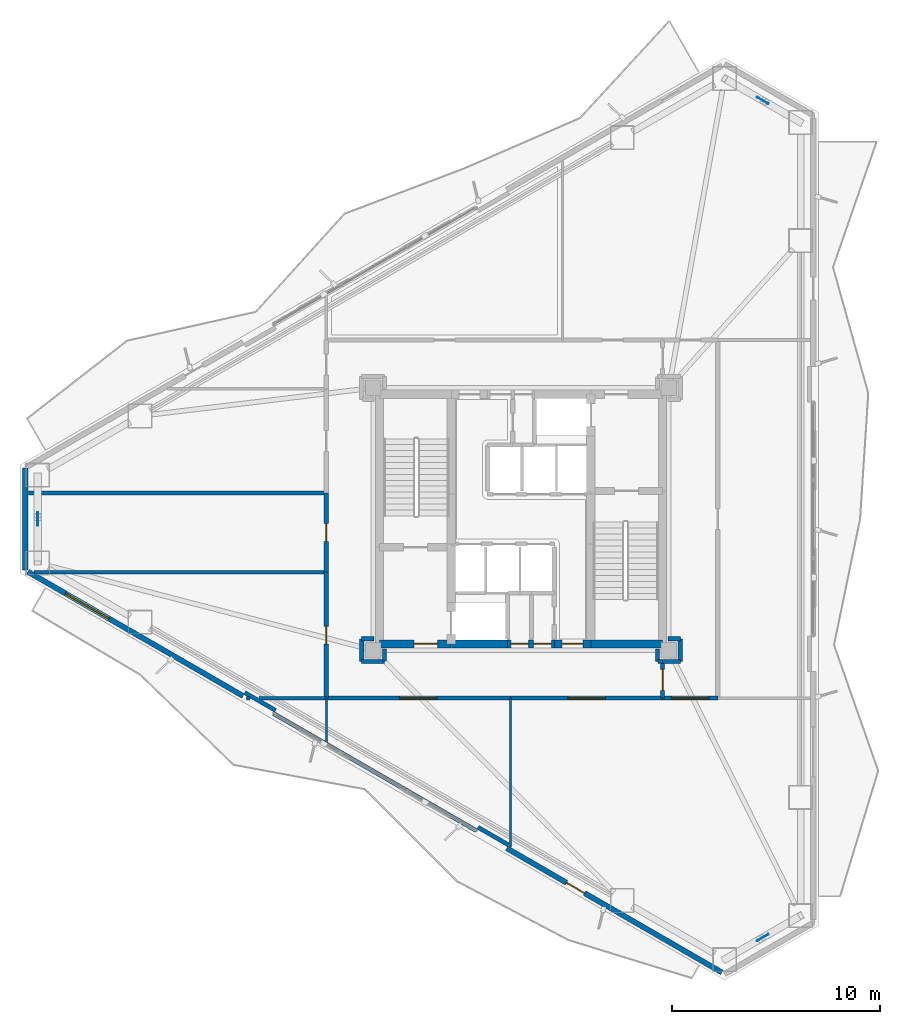
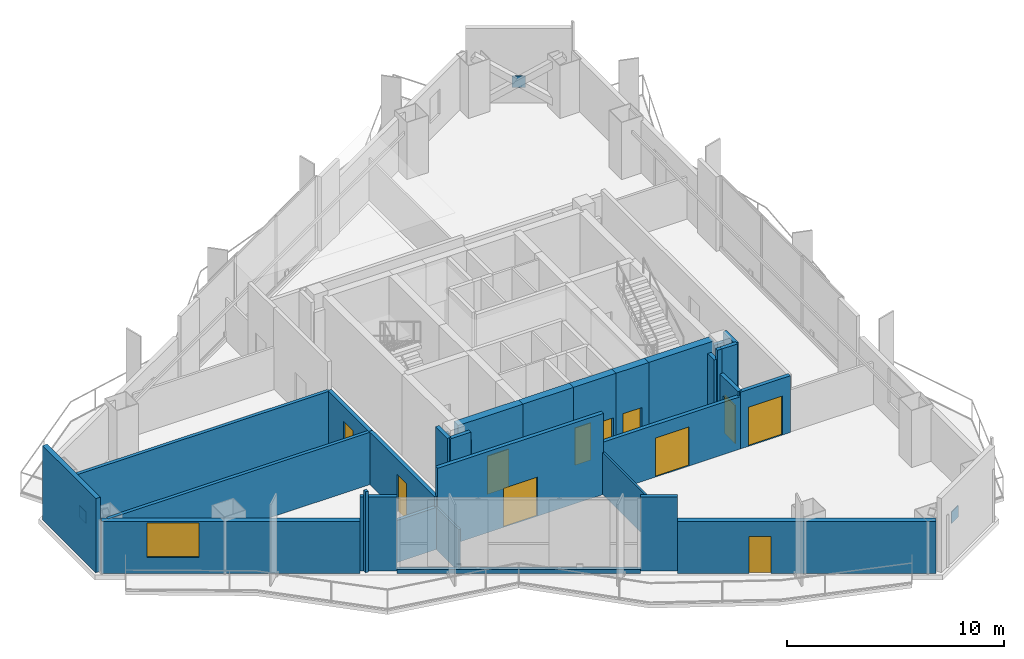
# One storey, part 14 of 20: 32 walls, 11 doors, 3 plates, 1 window, 12 openings.
"""IFC4 building model written with IfcOpenShell, lengths in metres."""

from ifc_helpers import new_model, si_unit, direction, frame, frame_2d, origin, origin_2d, place, context, subcontext, project, spatial, rectangle, extrude, material, layer, layer_set, type_object, element, fill, save


model = new_model("IFC4")

# Units and contexts
model_context = context("Model", 3, precision=1e-05, world=origin(), true_north=direction((0.0, 1.0)))
body_context = subcontext(model_context, "Body", "Model", "MODEL_VIEW")
ifc_project = project(units=[si_unit("LENGTHUNIT", "METRE"), si_unit("AREAUNIT", "SQUARE_METRE"), si_unit("VOLUMEUNIT", "CUBIC_METRE"), si_unit("PLANEANGLEUNIT", "RADIAN"), si_unit("MASSUNIT", "GRAM", prefix="KILO")], contexts=[model_context])

# Site, building, storey
site_placement = place(None, origin())
site = spatial("IfcSite", under=ifc_project, at=site_placement, CompositionType="ELEMENT")
building_placement = place(site_placement, origin())
building = spatial("IfcBuilding", under=site, at=building_placement, Name="Mersakhor Tower and Convention Hall", CompositionType="ELEMENT")
storey_placement = place(building_placement, frame((0.0, 0.0, 116.39990234375)))
storey = spatial("IfcBuildingStorey", under=building, at=storey_placement, Name="L32", CompositionType="ELEMENT", Elevation=116.39990234375)

# Plates
ifc_material_1 = material(Name="Steel S460", Category="steel")
ifc_layer_1 = layer(ifc_material_1, 0.0400390625)
ifc_layer_set_1 = layer_set([ifc_layer_1], Name="Steel S460")
plate_type = type_object("IfcPlateType", Name="PL-GUSSET-40", PredefinedType="SHEET", material=ifc_layer_set_1)
for number, where, z_axis, x_axis, name in (
    (1, (40.606689453125, 46.853515625, 1.22509765625), (0.0, 0.0, 1.0), (-0.866025403784, 0.5, 0.0), "L32 X-Brace Crossing Gusset Node Plate"),
    (2, (40.606689453125, 6.646728515625, 1.22509765625), (0.0, 0.0, 1.0), (0.866025403784, 0.5, 0.0), "L32 X-Brace Crossing Gusset Node Plate"),
    (3, (5.78662109375, 26.75, 1.22509765625), (0.0, 0.0, 1.0), (0.0, -1.0, 0.0), "L32 X-Brace Crossing Gusset Node Plate"),
):
    element("IfcPlate", number, at=place(storey_placement, frame(where, z_axis=z_axis, x_axis=x_axis)), inside=storey, type_object=plate_type, Name=name, PredefinedType="SHEET", context=body_context, shape_type="SweptSolid", body=[
        extrude(rectangle(XDim=0.639892578125, YDim=0.0400390625, at=origin_2d()), origin(), (0.0, 0.0, 1.0), 0.639892578125),
    ])

# Wall
ifc_material_2 = material(Name="Precast concrete C40/50", Category="concrete")
ifc_layer_2 = layer(ifc_material_2, 0.25)
ifc_layer_set_2 = layer_set([ifc_layer_2], Name="Precast concrete C40/50")
wall_type_1 = type_object("IfcWallType", Name="WL-EXT-250", PredefinedType="SOLIDWALL", material=ifc_layer_set_2)
wall_1_placement = place(storey_placement, frame((5.186767578125, 24.292724609375, 0.0), z_axis=(0.0, 0.0, 1.0), x_axis=(0.0, 1.0, 0.0)))
element("IfcWall", 4, at=wall_1_placement, inside=storey, type_object=wall_type_1, Name="L32 Chamfer Braced Spandrel Wall C3", PredefinedType="SOLIDWALL", context=body_context, shape_type="SweptSolid", body=[
    extrude(rectangle(XDim=4.91455078125, YDim=0.25, at=frame_2d((2.457275390625, 0.0))), origin(), (0.0, 0.0, 1.0), 4.18017578125),
])

# Wall, opening, door
wall_2_placement = place(storey_placement, frame((38.648681640625, 4.973388671875, 0.0), z_axis=(0.0, 0.0, 1.0), x_axis=(-0.866023023012, 0.500004123596, 0.0)))
wall_2 = element("IfcWall", 5, at=wall_2_placement, inside=storey, type_object=wall_type_1, Name="L32 Exterior Facade Wall F3-B1", PredefinedType="SOLIDWALL", context=body_context, shape_type="SweptSolid", body=[
    extrude(rectangle(XDim=11.9296875, YDim=0.25, at=frame_2d((5.96484375, 0.0))), origin(), (0.0, 0.0, 1.0), 2.945068359375),
])
opening_1_placement = place(wall_2_placement, frame((7.615966796875, 0.0, 0.0)))
opening_1 = element("IfcOpeningElement", 6, at=opening_1_placement, cuts=wall_2, Name="Opening BD-01", PredefinedType="OPENING", context=body_context, shape_type="SweptSolid", body=[
    extrude(rectangle(XDim=1.0, YDim=2.10009765625, at=frame_2d((0.5, 1.050048828125))), frame((0.0, 0.135009765625, 0.0), z_axis=(0.0, -1.0, 0.0), x_axis=(1.0, 0.0, 0.0)), (0.0, 0.0, 1.0), 0.27001953125),
])
ifc_material_3 = material(Name="Thermally broken dark aluminium and safety glass", Category="aluminium")
door_type_1 = type_object("IfcDoorType", Name="DR-BAL-100x210", OperationType="NOTDEFINED", PredefinedType="DOOR", material=ifc_material_3)
door_1_placement = place(opening_1_placement, origin())
door_1 = element("IfcDoor", 7, at=door_1_placement, inside=storey, type_object=door_type_1, Name="L32 Balcony Terrace Door F3-B1", OperationType="SINGLE_SWING_LEFT", OverallHeight=2.10009765625, OverallWidth=1.0, PredefinedType="DOOR", context=body_context, shape_type="SweptSolid", body=[
    extrude(rectangle(XDim=1.0, YDim=2.10009765625, at=frame_2d((0.5, 1.050048828125))), frame((0.0, 0.02490234375, 0.0), z_axis=(0.0, -1.0, 0.0), x_axis=(1.0, 0.0, 0.0)), (0.0, 0.0, 1.0), 0.050048828125),
])
fill(opening_1, door_1)

# Wall, opening, window
wall_3_placement = place(storey_placement, frame((15.64794921875, 18.2529296875, 0.0), z_axis=(0.0, 0.0, 1.0), x_axis=(-0.866023023012, 0.500004123596, 0.0)))
wall_3 = element("IfcWall", 8, at=wall_3_placement, inside=storey, type_object=wall_type_1, Name="L32 Exterior Facade Wall F3-B3", PredefinedType="SOLIDWALL", context=body_context, shape_type="SweptSolid", body=[
    extrude(rectangle(XDim=11.9296875, YDim=0.25, at=frame_2d((5.96484375, 0.0))), origin(), (0.0, 0.0, 1.0), 2.945068359375),
])
opening_2_placement = place(wall_3_placement, frame((7.43310546875, 0.0, 0.89990234375)))
opening_2 = element("IfcOpeningElement", 9, at=opening_2_placement, cuts=wall_3, Name="Opening W-09", PredefinedType="OPENING", context=body_context, shape_type="SweptSolid", body=[
    extrude(rectangle(XDim=2.39990234375, YDim=1.9599609375, at=frame_2d((1.199951171875, 0.97998046875))), frame((0.0, 0.135009765625, 0.0), z_axis=(0.0, -1.0, 0.0), x_axis=(1.0, 0.0, 0.0)), (0.0, 0.0, 1.0), 0.27001953125),
])
ifc_material_4 = material(Name="Dark solar low-E glazed aluminium window", Category="aluminium")
window_type = type_object("IfcWindowType", Name="WN-COM-240x220", PartitioningType="SINGLE_PANEL", PredefinedType="WINDOW", material=ifc_material_4)
window_placement = place(opening_2_placement, origin())
window = element("IfcWindow", 10, at=window_placement, inside=storey, type_object=window_type, Name="L32 Facade Punched Window F3-B3", OverallHeight=1.9599609375, OverallWidth=2.39990234375, PartitioningType="SINGLE_PANEL", PredefinedType="WINDOW", context=body_context, shape_type="SweptSolid", body=[
    extrude(rectangle(XDim=2.39990234375, YDim=1.9599609375, at=frame_2d((1.199951171875, 0.97998046875))), frame((0.0, 0.030029296875, 0.0), z_axis=(0.0, -1.0, 0.0), x_axis=(1.0, 0.0, 0.0)), (0.0, 0.0, 1.0), 0.06005859375),
])
fill(opening_2, window)

# Walls
ifc_material_5 = material(Name="Precast concrete C40/50", Category="concrete")
ifc_layer_3 = layer(ifc_material_5, 0.199951171875)
ifc_layer_set_3 = layer_set([ifc_layer_3], Name="Precast concrete C40/50")
wall_type_2 = type_object("IfcWallType", Name="WL-PAR-200", PredefinedType="PARAPET", material=ifc_layer_set_3)
wall_4_placement = place(storey_placement, frame((26.84521484375, 11.788330078125, 0.0), z_axis=(0.0, 0.0, 1.0), x_axis=(-0.866027010039, 0.499997217876, 0.0)))
element("IfcWall", 11, at=wall_4_placement, inside=storey, type_object=wall_type_2, Name="L32 Curtain Wall Upstand Sill F3-B2", PredefinedType="PARAPET", context=body_context, shape_type="SweptSolid", body=[
    extrude(rectangle(XDim=11.2294921875, YDim=0.199951171875, at=frame_2d((5.61474609375, 0.0))), origin(), (0.0, 0.0, 1.0), 0.2001953125),
])
wall_5_placement = place(storey_placement, frame((28.407470703125, 11.09423828125, 0.0), z_axis=(0.0, 0.0, 1.0), x_axis=(-0.86605165483, 0.499954529098, 0.0)))
element("IfcWall", 12, at=wall_5_placement, inside=storey, type_object=wall_type_2, Name="L32 Column Pier Cladding Wall F3-C1", PredefinedType="PARAPET", context=body_context, shape_type="SweptSolid", body=[
    extrude(rectangle(XDim=1.699951171875, YDim=0.199951171875, at=frame_2d((0.85009765625, 0.0))), origin(), (0.0, 0.0, 1.0), 4.18017578125),
])
wall_6_placement = place(storey_placement, frame((17.210205078125, 17.558837890625, 0.0), z_axis=(0.0, 0.0, 1.0), x_axis=(-0.866025371046, 0.500000056704, 0.0)))
element("IfcWall", 13, at=wall_6_placement, inside=storey, type_object=wall_type_2, Name="L32 Column Pier Cladding Wall F3-C2", PredefinedType="PARAPET", context=body_context, shape_type="SweptSolid", body=[
    extrude(rectangle(XDim=1.7001953125, YDim=0.199951171875, at=frame_2d((0.85009765625, 0.0))), origin(), (0.0, 0.0, 1.0), 4.18017578125),
])
ifc_material_6 = material(Name="Moisture-resistant acoustic drywall studwork", Category="other")
ifc_layer_4 = layer(ifc_material_6, 0.175048828125)
ifc_layer_set_4 = layer_set([ifc_layer_4], Name="Moisture-resistant acoustic drywall studwork")
wall_type_3 = type_object("IfcWallType", Name="WL-PLM-175", PredefinedType="PLUMBINGWALL", material=ifc_layer_set_4)
wall_7_placement = place(storey_placement, frame((19.64990234375, 18.14990234375, 0.0), z_axis=(0.0, 0.0, 1.0), x_axis=(-1.0, 0.0, 0.0)))
element("IfcWall", 14, at=wall_7_placement, inside=storey, type_object=wall_type_3, Name="L32 Interior Partition Wall P-052", PredefinedType="PLUMBINGWALL", context=body_context, shape_type="SweptSolid", body=[
    extrude(rectangle(XDim=3.238037109375, YDim=0.175048828125, at=frame_2d((1.619140625, 0.0))), origin(), (0.0, 0.0, 1.0), 2.364990234375),
])
wall_8_placement = place(storey_placement, frame((15.981201171875, 18.14990234375, 0.0), z_axis=(0.0, 0.0, 1.0), x_axis=(-1.0, 0.0, 0.0)))
element("IfcWall", 15, at=wall_8_placement, inside=storey, type_object=wall_type_3, Name="L32 Interior Partition Wall P-053", PredefinedType="PLUMBINGWALL", context=body_context, shape_type="SweptSolid", body=[
    extrude(rectangle(XDim=0.1552734375, YDim=0.175048828125, at=frame_2d((0.07763671875, 0.0))), origin(), (0.0, 0.0, 1.0), 4.56005859375),
])
wall_9_placement = place(storey_placement, frame((5.618408203125, 24.199951171875, 0.0), z_axis=(0.0, 0.0, 1.0), x_axis=(1.0, 0.0, 0.0)))
element("IfcWall", 16, at=wall_9_placement, inside=storey, type_object=wall_type_3, Name="L32 Interior Partition Wall P-054", PredefinedType="PLUMBINGWALL", context=body_context, shape_type="SweptSolid", body=[
    extrude(rectangle(XDim=14.031494140625, YDim=0.175048828125, at=frame_2d((7.015625, 0.0))), origin(), (0.0, 0.0, 1.0), 2.945068359375),
])
wall_10_placement = place(storey_placement, frame((5.335693359375, 28.0, 0.0), z_axis=(0.0, 0.0, 1.0), x_axis=(1.0, 0.0, 0.0)))
element("IfcWall", 17, at=wall_10_placement, inside=storey, type_object=wall_type_3, Name="L32 Interior Partition Wall P-055", PredefinedType="PLUMBINGWALL", context=body_context, shape_type="SweptSolid", body=[
    extrude(rectangle(XDim=14.314208984375, YDim=0.175048828125, at=frame_2d((7.1572265625, 0.0))), origin(), (0.0, 0.0, 1.0), 2.945068359375),
])
ifc_material_7 = material(Name="Lightweight gypsum partition", Category="other")
ifc_layer_5 = layer(ifc_material_7, 0.10009765625)
ifc_layer_set_5 = layer_set([ifc_layer_5], Name="Lightweight gypsum partition")
wall_type_4 = type_object("IfcWallType", Name="WL-PRT-100", PredefinedType="PARTITIONING", material=ifc_layer_set_5)
wall_11_placement = place(storey_placement, frame((28.5, 11.0048828125, 0.0), z_axis=(0.0, 0.0, 1.0), x_axis=(0.0, 1.0, 0.0)))
element("IfcWall", 18, at=wall_11_placement, inside=storey, type_object=wall_type_4, Name="L32 Interior Partition Wall P-062", PredefinedType="PARTITIONING", context=body_context, shape_type="SweptSolid", body=[
    extrude(rectangle(XDim=7.14501953125, YDim=0.10009765625, at=frame_2d((3.572509765625, 0.0))), origin(), (0.0, 0.0, 1.0), 2.364990234375),
])
wall_12_placement = place(storey_placement, frame((19.64990234375, 15.990966796875, 0.0), z_axis=(0.0, 0.0, 1.0), x_axis=(0.0, 1.0, 0.0)))
element("IfcWall", 19, at=wall_12_placement, inside=storey, type_object=wall_type_4, Name="L32 Interior Partition Wall P-064", PredefinedType="PARTITIONING", context=body_context, shape_type="SweptSolid", body=[
    extrude(rectangle(XDim=2.158935546875, YDim=0.10009765625, at=frame_2d((1.07958984375, 0.0))), origin(), (0.0, 0.0, 1.0), 2.364990234375),
])
ifc_material_8 = material(Name="Acoustic concrete blockwork and gypsum board", Category="masonry")
ifc_layer_6 = layer(ifc_material_8, 0.199951171875)
ifc_layer_set_6 = layer_set([ifc_layer_6], Name="Acoustic concrete blockwork and gypsum board")
wall_type_5 = type_object("IfcWallType", Name="WL-PRT-200", PredefinedType="PARTITIONING", material=ifc_layer_set_6)
wall_13_placement = place(storey_placement, frame((21.35009765625, 19.89990234375, 0.0), z_axis=(0.0, 0.0, 1.0), x_axis=(1.0, 0.0, 0.0)))
element("IfcWall", 20, at=wall_13_placement, inside=storey, type_object=wall_type_5, Name="L32 Interior Partition Wall P-021", PredefinedType="PARTITIONING", context=body_context, shape_type="SweptSolid", body=[
    extrude(rectangle(XDim=1.099853515625, YDim=0.199951171875, at=frame_2d((0.5498046875, 0.0))), origin(), (0.0, 0.0, 1.0), 4.56005859375),
])
wall_14_placement = place(storey_placement, frame((22.449951171875, 19.929931640625, 0.0), z_axis=(0.0, 0.0, 1.0), x_axis=(0.0, 1.0, 0.0)))
element("IfcWall", 21, at=wall_14_placement, inside=storey, type_object=wall_type_5, Name="L32 Interior Partition Wall P-022", PredefinedType="PARTITIONING", context=body_context, shape_type="SweptSolid", body=[
    extrude(rectangle(XDim=0.570068359375, YDim=0.199951171875, at=frame_2d((0.28515625, 0.0))), origin(), (0.0, 0.0, 1.0), 4.00830078125),
])
wall_15_placement = place(storey_placement, frame((35.550048828125, 20.5, 0.0), z_axis=(0.0, 0.0, 1.0), x_axis=(0.0, -1.0, 0.0)))
element("IfcWall", 22, at=wall_15_placement, inside=storey, type_object=wall_type_5, Name="L32 Interior Partition Wall P-023", PredefinedType="PARTITIONING", context=body_context, shape_type="SweptSolid", body=[
    extrude(rectangle(XDim=0.60009765625, YDim=0.199951171875, at=frame_2d((0.300048828125, 0.0))), origin(), (0.0, 0.0, 1.0), 4.00830078125),
])
wall_16_placement = place(storey_placement, frame((35.580078125, 19.89990234375, 0.0), z_axis=(0.0, 0.0, 1.0), x_axis=(1.0, 0.0, 0.0)))
element("IfcWall", 23, at=wall_16_placement, inside=storey, type_object=wall_type_5, Name="L32 Interior Partition Wall P-024", PredefinedType="PARTITIONING", context=body_context, shape_type="SweptSolid", body=[
    extrude(rectangle(XDim=0.219970703125, YDim=0.199951171875, at=frame_2d((0.10986328125, 0.0))), origin(), (0.0, 0.0, 1.0), 4.56005859375),
])

# Wall, opening, door
wall_17_placement = place(storey_placement, frame((35.800048828125, 19.89990234375, 0.0), z_axis=(0.0, 0.0, 1.0), x_axis=(0.0, -1.0, 0.0)))
wall_17 = element("IfcWall", 24, at=wall_17_placement, inside=storey, type_object=wall_type_5, Name="L32 Interior Partition Wall P-025", PredefinedType="PARTITIONING", context=body_context, shape_type="SweptSolid", body=[
    extrude(rectangle(XDim=1.75, YDim=0.199951171875, at=frame_2d((0.875, 0.0))), origin(), (0.0, 0.0, 1.0), 3.195068359375),
])
opening_3_placement = place(wall_17_placement, frame((0.375, 0.0, 0.0)))
opening_3 = element("IfcOpeningElement", 25, at=opening_3_placement, cuts=wall_17, Name="Opening FD-01", PredefinedType="OPENING", context=body_context, shape_type="SweptSolid", body=[
    extrude(rectangle(XDim=1.0, YDim=2.14990234375, at=frame_2d((0.5, 1.074951171875))), frame((0.0, 0.10986328125, 0.0), z_axis=(0.0, -1.0, 0.0), x_axis=(1.0, 0.0, 0.0)), (0.0, 0.0, 1.0), 0.219970703125),
])
ifc_material_9 = material(Name="Fire-rated hardwood leaf and painted steel frame", Category="steel")
door_type_2 = type_object("IfcDoorType", Name="DR-INT-FLT-100x215", OperationType="NOTDEFINED", PredefinedType="DOOR", material=ifc_material_9)
door_2_placement = place(opening_3_placement, origin())
door_2 = element("IfcDoor", 26, at=door_2_placement, inside=storey, type_object=door_type_2, Name="L32 Ring Corridor Fire Door", OperationType="SINGLE_SWING_RIGHT", OverallHeight=2.14990234375, OverallWidth=1.0, PredefinedType="DOOR", context=body_context, shape_type="SweptSolid", body=[
    extrude(rectangle(XDim=1.0, YDim=2.14990234375, at=frame_2d((0.5, 1.074951171875))), frame((0.0, 0.02490234375, 0.0), z_axis=(0.0, -1.0, 0.0), x_axis=(1.0, 0.0, 0.0)), (0.0, 0.0, 1.0), 0.050048828125),
])
fill(opening_3, door_2)

wall_18_placement = place(storey_placement, frame((35.800048828125, 18.14990234375, 0.0), z_axis=(0.0, 0.0, 1.0), x_axis=(-1.0, 0.0, 0.0)))
wall_18 = element("IfcWall", 27, at=wall_18_placement, inside=storey, type_object=wall_type_5, Name="L32 Interior Partition Wall P-026", PredefinedType="PARTITIONING", context=body_context, shape_type="SweptSolid", body=[
    extrude(rectangle(XDim=7.300048828125, YDim=0.199951171875, at=frame_2d((3.64990234375, 0.0))), origin(), (0.0, 0.0, 1.0), 2.945068359375),
])
opening_4_placement = place(wall_18_placement, frame((2.75, 0.0, 0.0)))
opening_4 = element("IfcOpeningElement", 28, at=opening_4_placement, cuts=wall_18, Name="Opening HD-01", PredefinedType="OPENING", context=body_context, shape_type="SweptSolid", body=[
    extrude(rectangle(XDim=1.800048828125, YDim=2.199951171875, at=frame_2d((0.89990234375, 1.10009765625))), frame((0.0, 0.10986328125, 0.0), z_axis=(0.0, -1.0, 0.0), x_axis=(1.0, 0.0, 0.0)), (0.0, 0.0, 1.0), 0.219970703125),
])
ifc_material_10 = material(Name="Fire-rated hardwood leaf and painted steel frame", Category="steel")
door_type_3 = type_object("IfcDoorType", Name="DR-INT-HALL-180x220", OperationType="NOTDEFINED", PredefinedType="DOOR", material=ifc_material_10)
door_3_placement = place(opening_4_placement, origin())
door_3 = element("IfcDoor", 29, at=door_3_placement, inside=storey, type_object=door_type_3, Name="L32 L32 Sky-Lobby Corridor to Sky-Lobby Conference Room 1 Door", OperationType="DOUBLE_DOOR_SINGLE_SWING", OverallHeight=2.199951171875, OverallWidth=1.800048828125, PredefinedType="DOOR", context=body_context, shape_type="SweptSolid", body=[
    extrude(rectangle(XDim=1.800048828125, YDim=2.199951171875, at=frame_2d((0.89990234375, 1.10009765625))), frame((0.0, 0.02490234375, 0.0), z_axis=(0.0, -1.0, 0.0), x_axis=(1.0, 0.0, 0.0)), (0.0, 0.0, 1.0), 0.050048828125),
])
fill(opening_4, door_3)

wall_19_placement = place(storey_placement, frame((28.5, 18.14990234375, 0.0), z_axis=(0.0, 0.0, 1.0), x_axis=(-1.0, 0.0, 0.0)))
wall_19 = element("IfcWall", 30, at=wall_19_placement, inside=storey, type_object=wall_type_5, Name="L32 Interior Partition Wall P-027", PredefinedType="PARTITIONING", context=body_context, shape_type="SweptSolid", body=[
    extrude(rectangle(XDim=8.85009765625, YDim=0.199951171875, at=frame_2d((4.425048828125, 0.0))), origin(), (0.0, 0.0, 1.0), 4.56005859375),
])
opening_5_placement = place(wall_19_placement, frame((3.52490234375, 0.0, 0.0)))
opening_5 = element("IfcOpeningElement", 31, at=opening_5_placement, cuts=wall_19, Name="Opening HD-01", PredefinedType="OPENING", context=body_context, shape_type="SweptSolid", body=[
    extrude(rectangle(XDim=1.800048828125, YDim=2.199951171875, at=frame_2d((0.89990234375, 1.10009765625))), frame((0.0, 0.10986328125, 0.0), z_axis=(0.0, -1.0, 0.0), x_axis=(1.0, 0.0, 0.0)), (0.0, 0.0, 1.0), 0.219970703125),
])
door_4_placement = place(opening_5_placement, origin())
door_4 = element("IfcDoor", 32, at=door_4_placement, inside=storey, type_object=door_type_3, Name="L32 L32 Sky-Lobby Corridor to Sky-Lobby Conference Room 2 Door", OperationType="DOUBLE_DOOR_SINGLE_SWING", OverallHeight=2.199951171875, OverallWidth=1.800048828125, PredefinedType="DOOR", context=body_context, shape_type="SweptSolid", body=[
    extrude(rectangle(XDim=1.800048828125, YDim=2.199951171875, at=frame_2d((0.89990234375, 1.10009765625))), frame((0.0, 0.02490234375, 0.0), z_axis=(0.0, -1.0, 0.0), x_axis=(1.0, 0.0, 0.0)), (0.0, 0.0, 1.0), 0.050048828125),
])
fill(opening_5, door_4)

wall_20_placement = place(storey_placement, frame((19.64990234375, 18.14990234375, 0.0), z_axis=(0.0, 0.0, 1.0), x_axis=(0.0, 1.0, 0.0)))
wall_20 = element("IfcWall", 33, at=wall_20_placement, inside=storey, type_object=wall_type_5, Name="L32 Interior Partition Wall P-028", PredefinedType="PARTITIONING", context=body_context, shape_type="SweptSolid", body=[
    extrude(rectangle(XDim=6.050048828125, YDim=0.199951171875, at=frame_2d((3.02490234375, 0.0))), origin(), (0.0, 0.0, 1.0), 2.945068359375),
])
opening_6_placement = place(wall_20_placement, frame((2.60009765625, 0.0, 0.0)))
opening_6 = element("IfcOpeningElement", 34, at=opening_6_placement, cuts=wall_20, Name="Opening SVD-01", PredefinedType="OPENING", context=body_context, shape_type="SweptSolid", body=[
    extrude(rectangle(XDim=0.85009765625, YDim=2.10009765625, at=frame_2d((0.425048828125, 1.050048828125))), frame((0.0, 0.10986328125, 0.0), z_axis=(0.0, -1.0, 0.0), x_axis=(1.0, 0.0, 0.0)), (0.0, 0.0, 1.0), 0.219970703125),
])
ifc_material_11 = material(Name="Fire-rated hardwood leaf and painted steel frame", Category="steel")
door_type_4 = type_object("IfcDoorType", Name="DR-INT-SVC-085x210", OperationType="NOTDEFINED", PredefinedType="DOOR", material=ifc_material_11)
door_5_placement = place(opening_6_placement, origin())
door_5 = element("IfcDoor", 35, at=door_5_placement, inside=storey, type_object=door_type_4, Name="L32 L32 Sky-Lobby Corridor to Sky-Lobby Public Restrooms Door", OperationType="SINGLE_SWING_RIGHT", OverallHeight=2.10009765625, OverallWidth=0.85009765625, PredefinedType="DOOR", context=body_context, shape_type="SweptSolid", body=[
    extrude(rectangle(XDim=0.85009765625, YDim=2.10009765625, at=frame_2d((0.425048828125, 1.050048828125))), frame((0.0, 0.02490234375, 0.0), z_axis=(0.0, -1.0, 0.0), x_axis=(1.0, 0.0, 0.0)), (0.0, 0.0, 1.0), 0.050048828125),
])
fill(opening_6, door_5)

wall_21_placement = place(storey_placement, frame((19.64990234375, 24.199951171875, 0.0), z_axis=(0.0, 0.0, 1.0), x_axis=(0.0, 1.0, 0.0)))
wall_21 = element("IfcWall", 36, at=wall_21_placement, inside=storey, type_object=wall_type_5, Name="L32 Interior Partition Wall P-029", PredefinedType="PARTITIONING", context=body_context, shape_type="SweptSolid", body=[
    extrude(rectangle(XDim=3.800048828125, YDim=0.199951171875, at=frame_2d((1.89990234375, 0.0))), origin(), (0.0, 0.0, 1.0), 2.945068359375),
])
opening_7_placement = place(wall_21_placement, frame((1.47509765625, 0.0, 0.0)))
opening_7 = element("IfcOpeningElement", 37, at=opening_7_placement, cuts=wall_21, Name="Opening SVD-01", PredefinedType="OPENING", context=body_context, shape_type="SweptSolid", body=[
    extrude(rectangle(XDim=0.85009765625, YDim=2.10009765625, at=frame_2d((0.425048828125, 1.050048828125))), frame((0.0, 0.10986328125, 0.0), z_axis=(0.0, -1.0, 0.0), x_axis=(1.0, 0.0, 0.0)), (0.0, 0.0, 1.0), 0.219970703125),
])
door_6_placement = place(opening_7_placement, origin())
door_6 = element("IfcDoor", 38, at=door_6_placement, inside=storey, type_object=door_type_4, Name="L32 L32 Sky-Lobby Corridor to Sky-Lobby Accessible Toilet WC Door", OperationType="SINGLE_SWING_LEFT", OverallHeight=2.10009765625, OverallWidth=0.85009765625, PredefinedType="DOOR", context=body_context, shape_type="SweptSolid", body=[
    extrude(rectangle(XDim=0.85009765625, YDim=2.10009765625, at=frame_2d((0.425048828125, 1.050048828125))), frame((0.0, 0.02490234375, 0.0), z_axis=(0.0, -1.0, 0.0), x_axis=(1.0, 0.0, 0.0)), (0.0, 0.0, 1.0), 0.050048828125),
])
fill(opening_7, door_6)

# Walls
wall_22_placement = place(storey_placement, frame((21.949951171875, 21.0, 0.0), z_axis=(0.0, 0.0, 1.0), x_axis=(-1.0, 0.0, 0.0)))
element("IfcWall", 39, at=wall_22_placement, inside=storey, type_object=wall_type_5, Name="L32 Interior Partition Wall P-041", PredefinedType="PARTITIONING", context=body_context, shape_type="SweptSolid", body=[
    extrude(rectangle(XDim=0.599853515625, YDim=0.199951171875, at=frame_2d((0.2998046875, 0.0))), origin(), (0.0, 0.0, 1.0), 4.00830078125),
])
wall_23_placement = place(storey_placement, frame((21.35009765625, 21.0, 0.0), z_axis=(0.0, 0.0, 1.0), x_axis=(0.0, -1.0, 0.0)))
element("IfcWall", 40, at=wall_23_placement, inside=storey, type_object=wall_type_5, Name="L32 Interior Partition Wall P-042", PredefinedType="PARTITIONING", context=body_context, shape_type="SweptSolid", body=[
    extrude(rectangle(XDim=1.10009765625, YDim=0.199951171875, at=frame_2d((0.550048828125, 0.0))), origin(), (0.0, 0.0, 1.0), 4.56005859375),
])
wall_24_placement = place(storey_placement, frame((36.64990234375, 21.0, 0.0), z_axis=(0.0, 0.0, 1.0), x_axis=(-1.0, 0.0, 0.0)))
element("IfcWall", 41, at=wall_24_placement, inside=storey, type_object=wall_type_5, Name="L32 Interior Partition Wall P-043", PredefinedType="PARTITIONING", context=body_context, shape_type="SweptSolid", body=[
    extrude(rectangle(XDim=0.599853515625, YDim=0.199951171875, at=frame_2d((0.2998046875, 0.0))), origin(), (0.0, 0.0, 1.0), 4.00830078125),
])

# Wall, opening, door
wall_25_placement = place(storey_placement, frame((38.449951171875, 18.14990234375, 0.0), z_axis=(0.0, 0.0, 1.0), x_axis=(-1.0, 0.0, 0.0)))
wall_25 = element("IfcWall", 42, at=wall_25_placement, inside=storey, type_object=wall_type_5, Name="L32 Interior Partition Wall P-049", PredefinedType="PARTITIONING", context=body_context, shape_type="SweptSolid", body=[
    extrude(rectangle(XDim=2.64990234375, YDim=0.199951171875, at=frame_2d((1.324951171875, 0.0))), origin(), (0.0, 0.0, 1.0), 3.195068359375),
])
opening_8_placement = place(wall_25_placement, frame((0.425048828125, 0.0, 0.0)))
opening_8 = element("IfcOpeningElement", 43, at=opening_8_placement, cuts=wall_25, Name="Opening HD-01", PredefinedType="OPENING", context=body_context, shape_type="SweptSolid", body=[
    extrude(rectangle(XDim=1.800048828125, YDim=2.199951171875, at=frame_2d((0.89990234375, 1.10009765625))), frame((0.0, 0.10986328125, 0.0), z_axis=(0.0, -1.0, 0.0), x_axis=(1.0, 0.0, 0.0)), (0.0, 0.0, 1.0), 0.219970703125),
])
door_7_placement = place(opening_8_placement, origin())
door_7 = element("IfcDoor", 44, at=door_7_placement, inside=storey, type_object=door_type_3, Name="L32 L32 Sky-Lobby East Corridor to Sky-Lobby Conference Room 1 Door", OperationType="DOUBLE_DOOR_SINGLE_SWING", OverallHeight=2.199951171875, OverallWidth=1.800048828125, PredefinedType="DOOR", context=body_context, shape_type="SweptSolid", body=[
    extrude(rectangle(XDim=1.800048828125, YDim=2.199951171875, at=frame_2d((0.89990234375, 1.10009765625))), frame((0.0, 0.02490234375, 0.0), z_axis=(0.0, -1.0, 0.0), x_axis=(1.0, 0.0, 0.0)), (0.0, 0.0, 1.0), 0.050048828125),
])
fill(opening_8, door_7)

# Walls
wall_26_placement = place(storey_placement, frame((35.800048828125, 19.89990234375, 0.0), z_axis=(0.0, 0.0, 1.0), x_axis=(1.0, 0.0, 0.0)))
element("IfcWall", 45, at=wall_26_placement, inside=storey, type_object=wall_type_5, Name="L32 Interior Partition Wall P-050", PredefinedType="PARTITIONING", context=body_context, shape_type="SweptSolid", body=[
    extrude(rectangle(XDim=0.849853515625, YDim=0.199951171875, at=frame_2d((0.4248046875, 0.0))), origin(), (0.0, 0.0, 1.0), 4.56005859375),
])
wall_27_placement = place(storey_placement, frame((36.64990234375, 19.89990234375, 0.0), z_axis=(0.0, 0.0, 1.0), x_axis=(0.0, 1.0, 0.0)))
element("IfcWall", 46, at=wall_27_placement, inside=storey, type_object=wall_type_5, Name="L32 Interior Partition Wall P-051", PredefinedType="PARTITIONING", context=body_context, shape_type="SweptSolid", body=[
    extrude(rectangle(XDim=1.10009765625, YDim=0.199951171875, at=frame_2d((0.550048828125, 0.0))), origin(), (0.0, 0.0, 1.0), 4.56005859375),
])
ifc_material_12 = material(Name="Concrete C60/75", Category="concrete")
ifc_layer_7 = layer(ifc_material_12, 0.39990234375)
ifc_layer_set_7 = layer_set([ifc_layer_7], Name="Concrete C60/75")
wall_type_6 = type_object("IfcWallType", Name="WL-SHR-400", PredefinedType="SHEAR", material=ifc_layer_set_7)
wall_28_placement = place(storey_placement, frame((35.800048828125, 20.75, 0.0), z_axis=(0.0, 0.0, 1.0), x_axis=(-1.0, 0.0, 0.0)))
element("IfcWall", 47, at=wall_28_placement, inside=storey, type_object=wall_type_6, Name="L32 Core Wall CW-S1", PredefinedType="SHEAR", context=body_context, shape_type="SweptSolid", body=[
    extrude(rectangle(XDim=3.449951171875, YDim=0.39990234375, at=frame_2d((1.72509765625, 0.0))), origin(), (0.0, 0.0, 1.0), 4.56005859375),
])

# Wall, opening, door
wall_29_placement = place(storey_placement, frame((32.35009765625, 20.75, 0.0), z_axis=(0.0, 0.0, 1.0), x_axis=(-1.0, 0.0, 0.0)))
wall_29 = element("IfcWall", 48, at=wall_29_placement, inside=storey, type_object=wall_type_6, Name="L32 Core Wall CW-S2A", PredefinedType="SHEAR", context=body_context, shape_type="SweptSolid", body=[
    extrude(rectangle(XDim=1.75, YDim=0.39990234375, at=frame_2d((0.875, 0.0))), origin(), (0.0, 0.0, 1.0), 4.56005859375),
])
opening_9_placement = place(wall_29_placement, frame((0.375, 0.0, 0.0)))
opening_9 = element("IfcOpeningElement", 49, at=opening_9_placement, cuts=wall_29, Name="Opening CFD-01", PredefinedType="OPENING", context=body_context, shape_type="SweptSolid", body=[
    extrude(rectangle(XDim=1.0, YDim=2.14990234375, at=frame_2d((0.5, 1.074951171875))), frame((0.0, 0.2099609375, 0.0), z_axis=(0.0, -1.0, 0.0), x_axis=(1.0, 0.0, 0.0)), (0.0, 0.0, 1.0), 0.419921875),
])
ifc_material_13 = material(Name="Fire-rated hardwood leaf and painted steel frame", Category="steel")
door_type_5 = type_object("IfcDoorType", Name="DR-CORE-FD-100x215", OperationType="NOTDEFINED", PredefinedType="DOOR", material=ifc_material_13)
door_8_placement = place(opening_9_placement, origin())
door_8 = element("IfcDoor", 50, at=door_8_placement, inside=storey, type_object=door_type_5, Name="L32 Lift Lobby South Corridor Door", OperationType="SINGLE_SWING_RIGHT", OverallHeight=2.14990234375, OverallWidth=1.0, PredefinedType="DOOR", context=body_context, shape_type="SweptSolid", body=[
    extrude(rectangle(XDim=1.0, YDim=2.14990234375, at=frame_2d((0.5, 1.074951171875))), frame((0.0, 0.02490234375, 0.0), z_axis=(0.0, -1.0, 0.0), x_axis=(1.0, 0.0, 0.0)), (0.0, 0.0, 1.0), 0.050048828125),
])
fill(opening_9, door_8)

# Wall, openings, doors
wall_30_placement = place(storey_placement, frame((30.60009765625, 20.75, 0.0), z_axis=(0.0, 0.0, 1.0), x_axis=(-1.0, 0.0, 0.0)))
wall_30 = element("IfcWall", 51, at=wall_30_placement, inside=storey, type_object=wall_type_6, Name="L32 Core Wall CW-S2B", PredefinedType="SHEAR", context=body_context, shape_type="SweptSolid", body=[
    extrude(rectangle(XDim=2.25, YDim=0.39990234375, at=frame_2d((1.125, 0.0))), origin(), (0.0, 0.0, 1.0), 4.56005859375),
])
opening_10_placement = place(wall_30_placement, frame((1.22998046875, 0.0, 0.0)))
opening_10 = element("IfcOpeningElement", 52, at=opening_10_placement, cuts=wall_30, Name="Opening SVD-01", PredefinedType="OPENING", context=body_context, shape_type="SweptSolid", body=[
    extrude(rectangle(XDim=0.85009765625, YDim=2.10009765625, at=frame_2d((0.425048828125, 1.050048828125))), frame((0.0, 0.2099609375, 0.0), z_axis=(0.0, -1.0, 0.0), x_axis=(1.0, 0.0, 0.0)), (0.0, 0.0, 1.0), 0.419921875),
])
opening_11_placement = place(wall_30_placement, frame((0.14501953125, 0.0, 0.0)))
opening_11 = element("IfcOpeningElement", 53, at=opening_11_placement, cuts=wall_30, Name="Opening SVD-01", PredefinedType="OPENING", context=body_context, shape_type="SweptSolid", body=[
    extrude(rectangle(XDim=0.85009765625, YDim=2.10009765625, at=frame_2d((0.425048828125, 1.050048828125))), frame((0.0, 0.2099609375, 0.0), z_axis=(0.0, -1.0, 0.0), x_axis=(1.0, 0.0, 0.0)), (0.0, 0.0, 1.0), 0.419921875),
])
door_9_placement = place(opening_10_placement, origin())
door_9 = element("IfcDoor", 54, at=door_9_placement, inside=storey, type_object=door_type_4, Name="L32 L32 Sky-Lobby Corridor to Mechanical Valve Plant Room Door", OperationType="SINGLE_SWING_RIGHT", OverallHeight=2.10009765625, OverallWidth=0.85009765625, PredefinedType="DOOR", context=body_context, shape_type="SweptSolid", body=[
    extrude(rectangle(XDim=0.85009765625, YDim=2.10009765625, at=frame_2d((0.425048828125, 1.050048828125))), frame((0.0, 0.02490234375, 0.0), z_axis=(0.0, -1.0, 0.0), x_axis=(1.0, 0.0, 0.0)), (0.0, 0.0, 1.0), 0.050048828125),
])
fill(opening_10, door_9)
door_10_placement = place(opening_11_placement, origin())
door_10 = element("IfcDoor", 55, at=door_10_placement, inside=storey, type_object=door_type_4, Name="L32 L32 Sky-Lobby Corridor to Refuse and Recycling Room Door", OperationType="SINGLE_SWING_LEFT", OverallHeight=2.10009765625, OverallWidth=0.85009765625, PredefinedType="DOOR", context=body_context, shape_type="SweptSolid", body=[
    extrude(rectangle(XDim=0.85009765625, YDim=2.10009765625, at=frame_2d((0.425048828125, 1.050048828125))), frame((0.0, 0.02490234375, 0.0), z_axis=(0.0, -1.0, 0.0), x_axis=(1.0, 0.0, 0.0)), (0.0, 0.0, 1.0), 0.050048828125),
])
fill(opening_11, door_10)

# Wall
wall_31_placement = place(storey_placement, frame((28.35009765625, 20.75, 0.0), z_axis=(0.0, 0.0, 1.0), x_axis=(-1.0, 0.0, 0.0)))
element("IfcWall", 56, at=wall_31_placement, inside=storey, type_object=wall_type_6, Name="L32 Core Wall CW-S3", PredefinedType="SHEAR", context=body_context, shape_type="SweptSolid", body=[
    extrude(rectangle(XDim=2.7001953125, YDim=0.39990234375, at=frame_2d((1.35009765625, 0.0))), origin(), (0.0, 0.0, 1.0), 4.56005859375),
])

# Wall, opening, door
wall_32_placement = place(storey_placement, frame((25.64990234375, 20.75, 0.0), z_axis=(0.0, 0.0, 1.0), x_axis=(-1.0, 0.0, 0.0)))
wall_32 = element("IfcWall", 57, at=wall_32_placement, inside=storey, type_object=wall_type_6, Name="L32 Core Wall CW-S4", PredefinedType="SHEAR", context=body_context, shape_type="SweptSolid", body=[
    extrude(rectangle(XDim=3.449951171875, YDim=0.39990234375, at=frame_2d((1.72509765625, 0.0))), origin(), (0.0, 0.0, 1.0), 4.56005859375),
])
opening_12_placement = place(wall_32_placement, frame((0.64990234375, 0.0, 0.0)))
opening_12 = element("IfcOpeningElement", 58, at=opening_12_placement, cuts=wall_32, Name="Opening SD-01", PredefinedType="OPENING", context=body_context, shape_type="SweptSolid", body=[
    extrude(rectangle(XDim=1.14990234375, YDim=2.14990234375, at=frame_2d((0.574951171875, 1.074951171875))), frame((0.0, 0.2099609375, 0.0), z_axis=(0.0, -1.0, 0.0), x_axis=(1.0, 0.0, 0.0)), (0.0, 0.0, 1.0), 0.419921875),
])
ifc_material_14 = material(Name="Fire-rated hardwood leaf and painted steel frame", Category="steel")
door_type_6 = type_object("IfcDoorType", Name="DR-INT-STAIR-115x215", OperationType="NOTDEFINED", PredefinedType="DOOR", material=ifc_material_14)
door_11_placement = place(opening_12_placement, origin())
door_11 = element("IfcDoor", 59, at=door_11_placement, inside=storey, type_object=door_type_6, Name="L32 Firefighting Lobby West Fire Door", OperationType="SINGLE_SWING_LEFT", OverallHeight=2.14990234375, OverallWidth=1.14990234375, PredefinedType="DOOR", context=body_context, shape_type="SweptSolid", body=[
    extrude(rectangle(XDim=1.14990234375, YDim=2.14990234375, at=frame_2d((0.574951171875, 1.074951171875))), frame((0.0, 0.02490234375, 0.0), z_axis=(0.0, -1.0, 0.0), x_axis=(1.0, 0.0, 0.0)), (0.0, 0.0, 1.0), 0.050048828125),
])
fill(opening_12, door_11)

save(model, "model.ifc")
